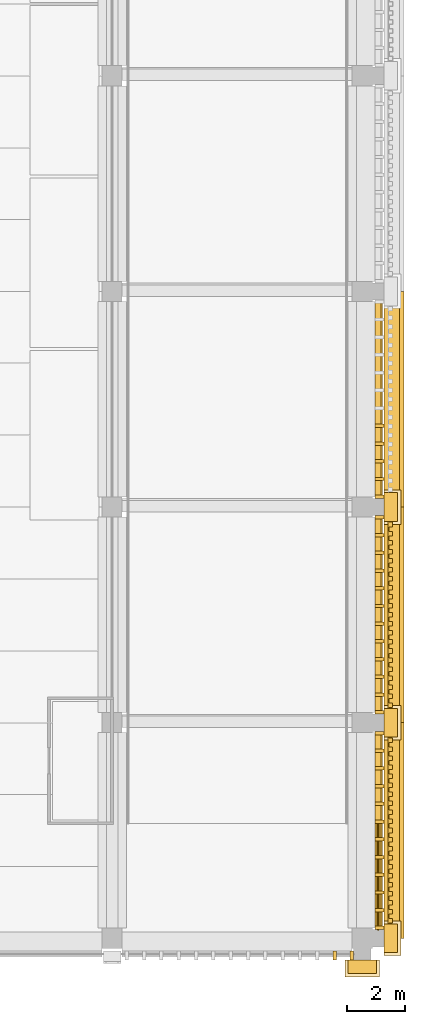
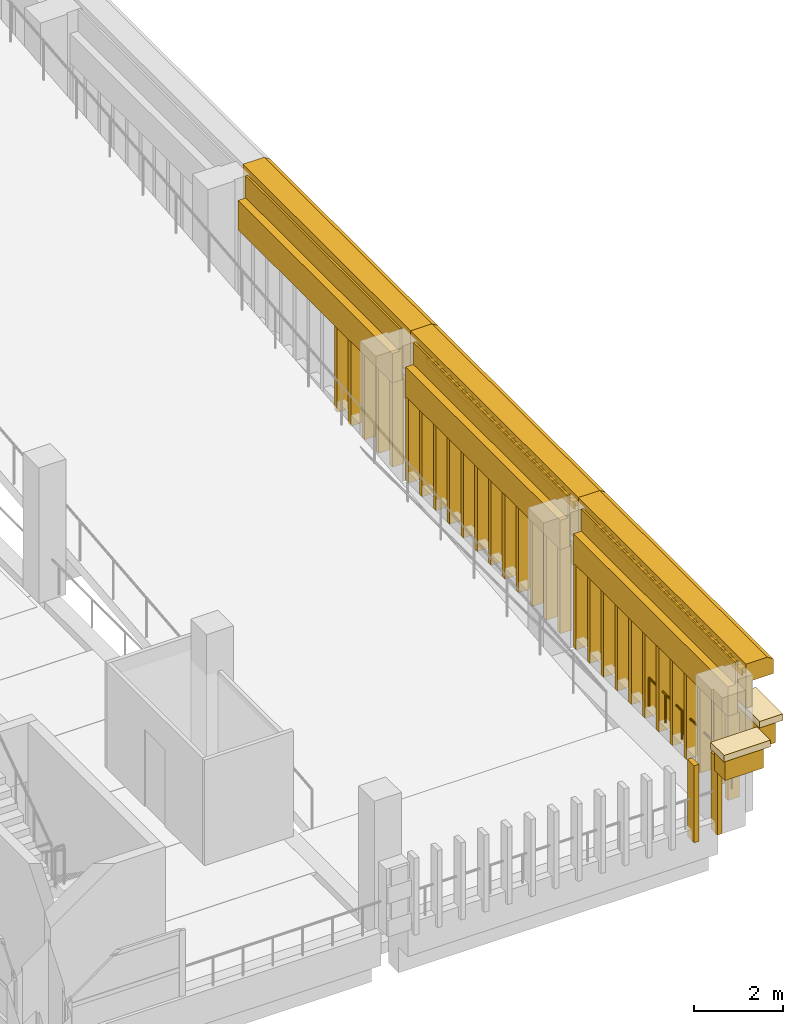
# One storey, part 20 of 25: 47 coverings, 1 railing.
"""IFC4 building model written with IfcOpenShell, lengths in metres."""

from ifc_helpers import new_model, si_unit, direction, frame, origin, origin_2d, place, context, subcontext, project, spatial, polyline, circle, outline, extrude, material, layer, layer_set, type_object, element, save


model = new_model("IFC4")

# Units and contexts
model_context = context("Model", 3, precision=1e-05, world=origin(), true_north=direction((0.0, 1.0)))
body_context = subcontext(model_context, "Body", "Model", "MODEL_VIEW")
ifc_project = project(units=[si_unit("LENGTHUNIT", "METRE"), si_unit("AREAUNIT", "SQUARE_METRE"), si_unit("VOLUMEUNIT", "CUBIC_METRE"), si_unit("PLANEANGLEUNIT", "RADIAN"), si_unit("MASSUNIT", "GRAM", prefix="KILO")], contexts=[model_context])

# Site, building, storey
site_placement = place(None, origin())
site = spatial("IfcSite", under=ifc_project, at=site_placement, CompositionType="ELEMENT")
building_placement = place(site_placement, origin())
building = spatial("IfcBuilding", under=site, at=building_placement, Name="Cour d'Honneur Mobility Palace", CompositionType="ELEMENT")
storey_placement = place(building_placement, frame((0.0, 0.0, 30.39990234375)))
storey = spatial("IfcBuildingStorey", under=building, at=storey_placement, Name="L08", CompositionType="ELEMENT", Elevation=30.39990234375)

# Railing
ifc_material_1 = material(Name="Painted steel", Category="steel")
railing_type = type_object("IfcRailingType", Name="Balustrade", PredefinedType="BALUSTRADE", material=ifc_material_1)
railing_placement = place(storey_placement, frame((162.85009765625, 0.300048828125, 0.300048828125)))
element("IfcRailing", 1, at=railing_placement, inside=storey, type_object=railing_type, Name="Balustrade BAL-402", PredefinedType="BALUSTRADE", context=body_context, shape_type="SweptSolid", body=[
    extrude(circle(Radius=0.02392578125, at=origin_2d()), frame((0.0, 0.0, 0.77587890625), z_axis=(0.0, 1.0, 0.0), x_axis=(-1.0, 0.0, 0.0)), (0.0, 0.0, 1.0), 3.699951171875),
    extrude(circle(Radius=0.02099609375, at=origin_2d()), origin(), (0.0, 0.0, 1.0), 0.751953125),
    extrude(circle(Radius=0.02099609375, at=origin_2d()), frame((0.0, 0.739990234375, 0.0)), (0.0, 0.0, 1.0), 0.751953125),
    extrude(circle(Radius=0.02099609375, at=origin_2d()), frame((0.0, 1.47998046875, 0.0)), (0.0, 0.0, 1.0), 0.751953125),
    extrude(circle(Radius=0.02099609375, at=origin_2d()), frame((0.0, 2.219970703125, 0.0)), (0.0, 0.0, 1.0), 0.751953125),
    extrude(circle(Radius=0.02099609375, at=origin_2d()), frame((0.0, 2.9599609375, 0.0)), (0.0, 0.0, 1.0), 0.751953125),
    extrude(circle(Radius=0.02099609375, at=origin_2d()), frame((0.0, 3.699951171875, 0.0)), (0.0, 0.0, 1.0), 0.751953125),
])

# Coverings
ifc_material_2 = material(Name="Cast limestone", Category="masonry")
ifc_layer_1 = layer(ifc_material_2, 0.14990234375)
ifc_layer_set_1 = layer_set([ifc_layer_1], Name="Cast limestone")
covering_type_1 = type_object("IfcCoveringType", Name="Dentil course", PredefinedType="CLADDING", material=ifc_layer_set_1)
covering_1_placement = place(storey_placement, frame((0.0, 0.0, 3.150146484375)))
element("IfcCovering", 2, at=covering_1_placement, inside=storey, type_object=covering_type_1, Name="Dentil course DC-133", PredefinedType="CLADDING", context=body_context, shape_type="SweptSolid", body=[
    extrude(outline(polyline([(163.199951171875, 0.449951171875), (163.199951171875, 7.050048828125), (163.22998046875, 7.050048828125), (163.22998046875, 7.050048828125), (163.22998046875, 6.971435546875), (163.35009765625, 6.971435546875), (163.35009765625, 6.814208984375), (163.22998046875, 6.814208984375), (163.22998046875, 6.735595703125), (163.22998046875, 6.735595703125), (163.22998046875, 6.6572265625), (163.35009765625, 6.6572265625), (163.35009765625, 6.5), (163.22998046875, 6.5), (163.22998046875, 6.42138671875), (163.22998046875, 6.42138671875), (163.22998046875, 6.3427734375), (163.35009765625, 6.3427734375), (163.35009765625, 6.185791015625), (163.22998046875, 6.185791015625), (163.22998046875, 6.107177734375), (163.22998046875, 6.107177734375), (163.22998046875, 6.028564453125), (163.35009765625, 6.028564453125), (163.35009765625, 5.871337890625), (163.22998046875, 5.871337890625), (163.22998046875, 5.79296875), (163.22998046875, 5.79296875), (163.22998046875, 5.71435546875), (163.35009765625, 5.71435546875), (163.35009765625, 5.55712890625), (163.22998046875, 5.55712890625), (163.22998046875, 5.478515625), (163.22998046875, 5.478515625), (163.22998046875, 5.39990234375), (163.35009765625, 5.39990234375), (163.35009765625, 5.242919921875), (163.22998046875, 5.242919921875), (163.22998046875, 5.164306640625), (163.22998046875, 5.164306640625), (163.22998046875, 5.085693359375), (163.35009765625, 5.085693359375), (163.35009765625, 4.928466796875), (163.22998046875, 4.928466796875), (163.22998046875, 4.85009765625), (163.22998046875, 4.85009765625), (163.22998046875, 4.771484375), (163.35009765625, 4.771484375), (163.35009765625, 4.6142578125), (163.22998046875, 4.6142578125), (163.22998046875, 4.53564453125), (163.22998046875, 4.53564453125), (163.22998046875, 4.45703125), (163.35009765625, 4.45703125), (163.35009765625, 4.300048828125), (163.22998046875, 4.300048828125), (163.22998046875, 4.221435546875), (163.22998046875, 4.221435546875), (163.22998046875, 4.142822265625), (163.35009765625, 4.142822265625), (163.35009765625, 3.985595703125), (163.22998046875, 3.985595703125), (163.22998046875, 3.9072265625), (163.22998046875, 3.9072265625), (163.22998046875, 3.82861328125), (163.35009765625, 3.82861328125), (163.35009765625, 3.67138671875), (163.22998046875, 3.67138671875), (163.22998046875, 3.5927734375), (163.22998046875, 3.5927734375), (163.22998046875, 3.514404296875), (163.35009765625, 3.514404296875), (163.35009765625, 3.357177734375), (163.22998046875, 3.357177734375), (163.22998046875, 3.278564453125), (163.22998046875, 3.278564453125), (163.22998046875, 3.199951171875), (163.35009765625, 3.199951171875), (163.35009765625, 3.04296875), (163.22998046875, 3.04296875), (163.22998046875, 2.96435546875), (163.22998046875, 2.96435546875), (163.22998046875, 2.8857421875), (163.35009765625, 2.8857421875), (163.35009765625, 2.728515625), (163.22998046875, 2.728515625), (163.22998046875, 2.64990234375), (163.22998046875, 2.64990234375), (163.22998046875, 2.571533203125), (163.35009765625, 2.571533203125), (163.35009765625, 2.414306640625), (163.22998046875, 2.414306640625), (163.22998046875, 2.335693359375), (163.22998046875, 2.335693359375), (163.22998046875, 2.257080078125), (163.35009765625, 2.257080078125), (163.35009765625, 2.10009765625), (163.22998046875, 2.10009765625), (163.22998046875, 2.021484375), (163.22998046875, 2.021484375), (163.22998046875, 1.94287109375), (163.35009765625, 1.94287109375), (163.35009765625, 1.78564453125), (163.22998046875, 1.78564453125), (163.22998046875, 1.70703125), (163.22998046875, 1.70703125), (163.22998046875, 1.628662109375), (163.35009765625, 1.628662109375), (163.35009765625, 1.471435546875), (163.22998046875, 1.471435546875), (163.22998046875, 1.392822265625), (163.22998046875, 1.392822265625), (163.22998046875, 1.314208984375), (163.35009765625, 1.314208984375), (163.35009765625, 1.1572265625), (163.22998046875, 1.1572265625), (163.22998046875, 1.07861328125), (163.22998046875, 1.07861328125), (163.22998046875, 1.0), (163.35009765625, 1.0), (163.35009765625, 0.8427734375), (163.22998046875, 0.8427734375), (163.22998046875, 0.764404296875), (163.22998046875, 0.764404296875), (163.22998046875, 0.685791015625), (163.35009765625, 0.685791015625), (163.35009765625, 0.528564453125), (163.22998046875, 0.528564453125), (163.22998046875, 0.449951171875), (163.199951171875, 0.449951171875)])), origin(), (0.0, 0.0, 1.0), 0.14990234375),
])
covering_2_placement = place(storey_placement, frame((0.0, 0.0, 3.150146484375)))
element("IfcCovering", 3, at=covering_2_placement, inside=storey, type_object=covering_type_1, Name="Dentil course DC-134", PredefinedType="CLADDING", context=body_context, shape_type="SweptSolid", body=[
    extrude(outline(polyline([(163.199951171875, 7.949951171875), (163.199951171875, 14.550048828125), (163.22998046875, 14.550048828125), (163.22998046875, 14.550048828125), (163.22998046875, 14.471435546875), (163.35009765625, 14.471435546875), (163.35009765625, 14.314208984375), (163.22998046875, 14.314208984375), (163.22998046875, 14.235595703125), (163.22998046875, 14.235595703125), (163.22998046875, 14.1572265625), (163.35009765625, 14.1572265625), (163.35009765625, 14.0), (163.22998046875, 14.0), (163.22998046875, 13.92138671875), (163.22998046875, 13.92138671875), (163.22998046875, 13.8427734375), (163.35009765625, 13.8427734375), (163.35009765625, 13.685791015625), (163.22998046875, 13.685791015625), (163.22998046875, 13.607177734375), (163.22998046875, 13.607177734375), (163.22998046875, 13.528564453125), (163.35009765625, 13.528564453125), (163.35009765625, 13.371337890625), (163.22998046875, 13.371337890625), (163.22998046875, 13.29296875), (163.22998046875, 13.29296875), (163.22998046875, 13.21435546875), (163.35009765625, 13.21435546875), (163.35009765625, 13.05712890625), (163.22998046875, 13.05712890625), (163.22998046875, 12.978515625), (163.22998046875, 12.978515625), (163.22998046875, 12.89990234375), (163.35009765625, 12.89990234375), (163.35009765625, 12.742919921875), (163.22998046875, 12.742919921875), (163.22998046875, 12.664306640625), (163.22998046875, 12.664306640625), (163.22998046875, 12.585693359375), (163.35009765625, 12.585693359375), (163.35009765625, 12.428466796875), (163.22998046875, 12.428466796875), (163.22998046875, 12.35009765625), (163.22998046875, 12.35009765625), (163.22998046875, 12.271484375), (163.35009765625, 12.271484375), (163.35009765625, 12.1142578125), (163.22998046875, 12.1142578125), (163.22998046875, 12.03564453125), (163.22998046875, 12.03564453125), (163.22998046875, 11.95703125), (163.35009765625, 11.95703125), (163.35009765625, 11.800048828125), (163.22998046875, 11.800048828125), (163.22998046875, 11.721435546875), (163.22998046875, 11.721435546875), (163.22998046875, 11.642822265625), (163.35009765625, 11.642822265625), (163.35009765625, 11.485595703125), (163.22998046875, 11.485595703125), (163.22998046875, 11.4072265625), (163.22998046875, 11.4072265625), (163.22998046875, 11.32861328125), (163.35009765625, 11.32861328125), (163.35009765625, 11.17138671875), (163.22998046875, 11.17138671875), (163.22998046875, 11.0927734375), (163.22998046875, 11.0927734375), (163.22998046875, 11.014404296875), (163.35009765625, 11.014404296875), (163.35009765625, 10.857177734375), (163.22998046875, 10.857177734375), (163.22998046875, 10.778564453125), (163.22998046875, 10.778564453125), (163.22998046875, 10.699951171875), (163.35009765625, 10.699951171875), (163.35009765625, 10.54296875), (163.22998046875, 10.54296875), (163.22998046875, 10.46435546875), (163.22998046875, 10.46435546875), (163.22998046875, 10.3857421875), (163.35009765625, 10.3857421875), (163.35009765625, 10.228515625), (163.22998046875, 10.228515625), (163.22998046875, 10.14990234375), (163.22998046875, 10.14990234375), (163.22998046875, 10.071533203125), (163.35009765625, 10.071533203125), (163.35009765625, 9.914306640625), (163.22998046875, 9.914306640625), (163.22998046875, 9.835693359375), (163.22998046875, 9.835693359375), (163.22998046875, 9.757080078125), (163.35009765625, 9.757080078125), (163.35009765625, 9.60009765625), (163.22998046875, 9.60009765625), (163.22998046875, 9.521484375), (163.22998046875, 9.521484375), (163.22998046875, 9.44287109375), (163.35009765625, 9.44287109375), (163.35009765625, 9.28564453125), (163.22998046875, 9.28564453125), (163.22998046875, 9.20703125), (163.22998046875, 9.20703125), (163.22998046875, 9.128662109375), (163.35009765625, 9.128662109375), (163.35009765625, 8.971435546875), (163.22998046875, 8.971435546875), (163.22998046875, 8.892822265625), (163.22998046875, 8.892822265625), (163.22998046875, 8.814208984375), (163.35009765625, 8.814208984375), (163.35009765625, 8.6572265625), (163.22998046875, 8.6572265625), (163.22998046875, 8.57861328125), (163.22998046875, 8.57861328125), (163.22998046875, 8.5), (163.35009765625, 8.5), (163.35009765625, 8.3427734375), (163.22998046875, 8.3427734375), (163.22998046875, 8.264404296875), (163.22998046875, 8.264404296875), (163.22998046875, 8.185791015625), (163.35009765625, 8.185791015625), (163.35009765625, 8.028564453125), (163.22998046875, 8.028564453125), (163.22998046875, 7.949951171875), (163.199951171875, 7.949951171875)])), origin(), (0.0, 0.0, 1.0), 0.14990234375),
])
ifc_material_3 = material(Name="Cast limestone", Category="masonry")
ifc_layer_2 = layer(ifc_material_3, 0.699951171875)
ifc_layer_set_2 = layer_set([ifc_layer_2], Name="Cast limestone")
covering_type_2 = type_object("IfcCoveringType", Name="Entablature", PredefinedType="CLADDING", material=ifc_layer_set_2)
for number, where, z_axis, x_axis, name in (
    (4, (163.050048828125, 0.0, 2.60009765625), (0.0, -1.0, 0.0), (1.0, 0.0, 0.0), "Entablature EN-133"),
    (5, (163.050048828125, 7.5, 2.60009765625), (0.0, -1.0, 0.0), (1.0, 0.0, 0.0), "Entablature EN-134"),
    (6, (163.050048828125, 15.0, 2.60009765625), (0.0, -1.0, 0.0), (1.0, 0.0, 0.0), "Entablature EN-135"),
):
    element("IfcCovering", number, at=place(storey_placement, frame(where, z_axis=z_axis, x_axis=x_axis)), inside=storey, type_object=covering_type_2, Name=name, PredefinedType="CLADDING", context=body_context, shape_type="SweptSolid", body=[
        extrude(outline(polyline([(0.0, 0.0), (0.14990234375, 0.0), (0.14990234375, 0.699951171875), (0.699951171875, 0.699951171875), (0.699951171875, 1.10009765625), (0.550048828125, 1.199951171875), (0.0, 1.199951171875), (0.0, 0.0)])), origin(), (0.0, 0.0, -1.0), 7.5),
    ])
ifc_material_4 = material(Name="Cast limestone", Category="masonry")
ifc_layer_3 = layer(ifc_material_4, 0.1201171875)
ifc_layer_set_3 = layer_set([ifc_layer_3], Name="Cast limestone")
covering_type_3 = type_object("IfcCoveringType", Name="Pilaster capital", PredefinedType="CLADDING", material=ifc_layer_set_3)
covering_3_placement = place(storey_placement, frame((0.0, 0.0, 1.800048828125)))
element("IfcCovering", 7, at=covering_3_placement, inside=storey, type_object=covering_type_3, Name="Pilaster capital PK-71", PredefinedType="CLADDING", context=body_context, shape_type="SweptSolid", body=[
    extrude(outline(polyline([(161.800048828125, -0.75), (162.800048828125, -0.75), (162.800048828125, -1.219970703125), (161.800048828125, -1.219970703125), (161.800048828125, -0.75)])), origin(), (0.0, 0.0, 1.0), 0.6201171875),
])
covering_4_placement = place(storey_placement, frame((0.0, 0.0, 2.420166015625)))
element("IfcCovering", 8, at=covering_4_placement, inside=storey, type_object=covering_type_3, Name="Pilaster capital PK-72", PredefinedType="CLADDING", context=body_context, shape_type="SweptSolid", body=[
    extrude(outline(polyline([(161.699951171875, -0.75), (162.89990234375, -0.75), (162.89990234375, -1.35009765625), (161.699951171875, -1.35009765625), (161.699951171875, -0.75)])), origin(), (0.0, 0.0, 1.0), 0.179931640625),
])
covering_5_placement = place(storey_placement, frame((0.0, 0.0, 1.800048828125)))
element("IfcCovering", 9, at=covering_5_placement, inside=storey, type_object=covering_type_3, Name="Pilaster capital PK-73", PredefinedType="CLADDING", context=body_context, shape_type="SweptSolid", body=[
    extrude(outline(polyline([(163.050048828125, -0.5), (163.050048828125, 0.5), (163.52001953125, 0.5), (163.52001953125, -0.5), (163.050048828125, -0.5)])), origin(), (0.0, 0.0, 1.0), 0.6201171875),
])
covering_6_placement = place(storey_placement, frame((0.0, 0.0, 2.420166015625)))
element("IfcCovering", 10, at=covering_6_placement, inside=storey, type_object=covering_type_3, Name="Pilaster capital PK-74", PredefinedType="CLADDING", context=body_context, shape_type="SweptSolid", body=[
    extrude(outline(polyline([(163.050048828125, -0.60009765625), (163.050048828125, 0.60009765625), (163.64990234375, 0.60009765625), (163.64990234375, -0.60009765625), (163.050048828125, -0.60009765625)])), origin(), (0.0, 0.0, 1.0), 0.179931640625),
])
covering_7_placement = place(storey_placement, frame((0.0, 0.0, 1.800048828125)))
element("IfcCovering", 11, at=covering_7_placement, inside=storey, type_object=covering_type_3, Name="Pilaster capital PK-75", PredefinedType="CLADDING", context=body_context, shape_type="SweptSolid", body=[
    extrude(outline(polyline([(163.050048828125, 7.0), (163.050048828125, 8.0), (163.52001953125, 8.0), (163.52001953125, 7.0), (163.050048828125, 7.0)])), origin(), (0.0, 0.0, 1.0), 0.6201171875),
])
covering_8_placement = place(storey_placement, frame((0.0, 0.0, 2.420166015625)))
element("IfcCovering", 12, at=covering_8_placement, inside=storey, type_object=covering_type_3, Name="Pilaster capital PK-76", PredefinedType="CLADDING", context=body_context, shape_type="SweptSolid", body=[
    extrude(outline(polyline([(163.050048828125, 6.89990234375), (163.050048828125, 8.10009765625), (163.64990234375, 8.10009765625), (163.64990234375, 6.89990234375), (163.050048828125, 6.89990234375)])), origin(), (0.0, 0.0, 1.0), 0.179931640625),
])
covering_9_placement = place(storey_placement, frame((0.0, 0.0, 1.800048828125)))
element("IfcCovering", 13, at=covering_9_placement, inside=storey, type_object=covering_type_3, Name="Pilaster capital PK-77", PredefinedType="CLADDING", context=body_context, shape_type="SweptSolid", body=[
    extrude(outline(polyline([(163.050048828125, 14.5), (163.050048828125, 15.5), (163.52001953125, 15.5), (163.52001953125, 14.5), (163.050048828125, 14.5)])), origin(), (0.0, 0.0, 1.0), 0.6201171875),
])
covering_10_placement = place(storey_placement, frame((0.0, 0.0, 2.420166015625)))
element("IfcCovering", 14, at=covering_10_placement, inside=storey, type_object=covering_type_3, Name="Pilaster capital PK-78", PredefinedType="CLADDING", context=body_context, shape_type="SweptSolid", body=[
    extrude(outline(polyline([(163.050048828125, 14.39990234375), (163.050048828125, 15.60009765625), (163.64990234375, 15.60009765625), (163.64990234375, 14.39990234375), (163.050048828125, 14.39990234375)])), origin(), (0.0, 0.0, 1.0), 0.179931640625),
])
ifc_material_5 = material(Name="Cast limestone", Category="masonry")
ifc_layer_4 = layer(ifc_material_5, 0.1201171875)
ifc_layer_set_4 = layer_set([ifc_layer_4], Name="Cast limestone")
covering_type_4 = type_object("IfcCoveringType", Name="Ramp screen fin", PredefinedType="CLADDING", material=ifc_layer_set_4)
covering_11_placement = place(storey_placement, origin())
element("IfcCovering", 15, at=covering_11_placement, inside=storey, type_object=covering_type_4, Name="Ramp screen fin S4.1 L08 13", PredefinedType="CLADDING", context=body_context, shape_type="SweptSolid", body=[
    extrude(outline(polyline([(161.277587890625, -0.449951171875), (161.397705078125, -0.449951171875), (161.397705078125, -0.75), (161.277587890625, -0.75), (161.277587890625, -0.449951171875)])), origin(), (0.0, 0.0, 1.0), 2.10009765625),
])
covering_12_placement = place(storey_placement, origin())
element("IfcCovering", 16, at=covering_12_placement, inside=storey, type_object=covering_type_4, Name="Ramp screen fin S4.1 L08 14", PredefinedType="CLADDING", context=body_context, shape_type="SweptSolid", body=[
    extrude(outline(polyline([(161.8798828125, -0.449951171875), (162.0, -0.449951171875), (162.0, -0.75), (161.8798828125, -0.75), (161.8798828125, -0.449951171875)])), origin(), (0.0, 0.0, 1.0), 2.10009765625),
])
covering_13_placement = place(storey_placement, origin())
element("IfcCovering", 17, at=covering_13_placement, inside=storey, type_object=covering_type_4, Name="Ramp screen fin E5.0 L08 1", PredefinedType="CLADDING", context=body_context, shape_type="SweptSolid", body=[
    extrude(outline(polyline([(162.75, 0.300048828125), (162.75, 0.419921875), (163.050048828125, 0.419921875), (163.050048828125, 0.300048828125), (162.75, 0.300048828125)])), origin(), (0.0, 0.0, 1.0), 2.300048828125),
])
covering_14_placement = place(storey_placement, origin())
element("IfcCovering", 18, at=covering_14_placement, inside=storey, type_object=covering_type_4, Name="Ramp screen fin E5.0 L08 2", PredefinedType="CLADDING", context=body_context, shape_type="SweptSolid", body=[
    extrude(outline(polyline([(162.75, 0.916259765625), (162.75, 1.036376953125), (163.050048828125, 1.036376953125), (163.050048828125, 0.916259765625), (162.75, 0.916259765625)])), origin(), (0.0, 0.0, 1.0), 2.300048828125),
])
covering_15_placement = place(storey_placement, origin())
element("IfcCovering", 19, at=covering_15_placement, inside=storey, type_object=covering_type_4, Name="Ramp screen fin E5.0 L08 3", PredefinedType="CLADDING", context=body_context, shape_type="SweptSolid", body=[
    extrude(outline(polyline([(162.75, 1.53271484375), (162.75, 1.65283203125), (163.050048828125, 1.65283203125), (163.050048828125, 1.53271484375), (162.75, 1.53271484375)])), origin(), (0.0, 0.0, 1.0), 2.300048828125),
])
covering_16_placement = place(storey_placement, origin())
element("IfcCovering", 20, at=covering_16_placement, inside=storey, type_object=covering_type_4, Name="Ramp screen fin E5.0 L08 4", PredefinedType="CLADDING", context=body_context, shape_type="SweptSolid", body=[
    extrude(outline(polyline([(162.75, 2.149169921875), (162.75, 2.26904296875), (163.050048828125, 2.26904296875), (163.050048828125, 2.149169921875), (162.75, 2.149169921875)])), origin(), (0.0, 0.0, 1.0), 2.300048828125),
])
covering_17_placement = place(storey_placement, origin())
element("IfcCovering", 21, at=covering_17_placement, inside=storey, type_object=covering_type_4, Name="Ramp screen fin E5.0 L08 5", PredefinedType="CLADDING", context=body_context, shape_type="SweptSolid", body=[
    extrude(outline(polyline([(162.75, 2.765380859375), (162.75, 2.885498046875), (163.050048828125, 2.885498046875), (163.050048828125, 2.765380859375), (162.75, 2.765380859375)])), origin(), (0.0, 0.0, 1.0), 2.300048828125),
])
covering_18_placement = place(storey_placement, origin())
element("IfcCovering", 22, at=covering_18_placement, inside=storey, type_object=covering_type_4, Name="Ramp screen fin E5.0 L08 6", PredefinedType="CLADDING", context=body_context, shape_type="SweptSolid", body=[
    extrude(outline(polyline([(162.75, 3.3818359375), (162.75, 3.501708984375), (163.050048828125, 3.501708984375), (163.050048828125, 3.3818359375), (162.75, 3.3818359375)])), origin(), (0.0, 0.0, 1.0), 2.300048828125),
])
covering_19_placement = place(storey_placement, origin())
element("IfcCovering", 23, at=covering_19_placement, inside=storey, type_object=covering_type_4, Name="Ramp screen fin E5.0 L08 7", PredefinedType="CLADDING", context=body_context, shape_type="SweptSolid", body=[
    extrude(outline(polyline([(162.75, 3.998291015625), (162.75, 4.1181640625), (163.050048828125, 4.1181640625), (163.050048828125, 3.998291015625), (162.75, 3.998291015625)])), origin(), (0.0, 0.0, 1.0), 2.300048828125),
])
covering_20_placement = place(storey_placement, origin())
element("IfcCovering", 24, at=covering_20_placement, inside=storey, type_object=covering_type_4, Name="Ramp screen fin E5.0 L08 8", PredefinedType="CLADDING", context=body_context, shape_type="SweptSolid", body=[
    extrude(outline(polyline([(162.75, 4.614501953125), (162.75, 4.734619140625), (163.050048828125, 4.734619140625), (163.050048828125, 4.614501953125), (162.75, 4.614501953125)])), origin(), (0.0, 0.0, 1.0), 2.300048828125),
])
covering_21_placement = place(storey_placement, origin())
element("IfcCovering", 25, at=covering_21_placement, inside=storey, type_object=covering_type_4, Name="Ramp screen fin E5.0 L08 9", PredefinedType="CLADDING", context=body_context, shape_type="SweptSolid", body=[
    extrude(outline(polyline([(162.75, 5.23095703125), (162.75, 5.350830078125), (163.050048828125, 5.350830078125), (163.050048828125, 5.23095703125), (162.75, 5.23095703125)])), origin(), (0.0, 0.0, 1.0), 2.300048828125),
])
covering_22_placement = place(storey_placement, origin())
element("IfcCovering", 26, at=covering_22_placement, inside=storey, type_object=covering_type_4, Name="Ramp screen fin E5.0 L08 10", PredefinedType="CLADDING", context=body_context, shape_type="SweptSolid", body=[
    extrude(outline(polyline([(162.75, 5.84716796875), (162.75, 5.96728515625), (163.050048828125, 5.96728515625), (163.050048828125, 5.84716796875), (162.75, 5.84716796875)])), origin(), (0.0, 0.0, 1.0), 2.300048828125),
])
covering_23_placement = place(storey_placement, origin())
element("IfcCovering", 27, at=covering_23_placement, inside=storey, type_object=covering_type_4, Name="Ramp screen fin E5.0 L08 11", PredefinedType="CLADDING", context=body_context, shape_type="SweptSolid", body=[
    extrude(outline(polyline([(162.75, 6.463623046875), (162.75, 6.583740234375), (163.050048828125, 6.583740234375), (163.050048828125, 6.463623046875), (162.75, 6.463623046875)])), origin(), (0.0, 0.0, 1.0), 2.300048828125),
])
covering_24_placement = place(storey_placement, origin())
element("IfcCovering", 28, at=covering_24_placement, inside=storey, type_object=covering_type_4, Name="Ramp screen fin E5.0 L08 12", PredefinedType="CLADDING", context=body_context, shape_type="SweptSolid", body=[
    extrude(outline(polyline([(162.75, 7.080078125), (162.75, 7.199951171875), (163.050048828125, 7.199951171875), (163.050048828125, 7.080078125), (162.75, 7.080078125)])), origin(), (0.0, 0.0, 1.0), 2.300048828125),
])
covering_25_placement = place(storey_placement, origin())
element("IfcCovering", 29, at=covering_25_placement, inside=storey, type_object=covering_type_4, Name="Ramp screen fin E5.1 L08 1", PredefinedType="CLADDING", context=body_context, shape_type="SweptSolid", body=[
    extrude(outline(polyline([(162.75, 7.800048828125), (162.75, 7.919921875), (163.050048828125, 7.919921875), (163.050048828125, 7.800048828125), (162.75, 7.800048828125)])), origin(), (0.0, 0.0, 1.0), 2.300048828125),
])
covering_26_placement = place(storey_placement, origin())
element("IfcCovering", 30, at=covering_26_placement, inside=storey, type_object=covering_type_4, Name="Ramp screen fin E5.1 L08 2", PredefinedType="CLADDING", context=body_context, shape_type="SweptSolid", body=[
    extrude(outline(polyline([(162.75, 8.416259765625), (162.75, 8.536376953125), (163.050048828125, 8.536376953125), (163.050048828125, 8.416259765625), (162.75, 8.416259765625)])), origin(), (0.0, 0.0, 1.0), 2.300048828125),
])
covering_27_placement = place(storey_placement, origin())
element("IfcCovering", 31, at=covering_27_placement, inside=storey, type_object=covering_type_4, Name="Ramp screen fin E5.1 L08 3", PredefinedType="CLADDING", context=body_context, shape_type="SweptSolid", body=[
    extrude(outline(polyline([(162.75, 9.03271484375), (162.75, 9.15283203125), (163.050048828125, 9.15283203125), (163.050048828125, 9.03271484375), (162.75, 9.03271484375)])), origin(), (0.0, 0.0, 1.0), 2.300048828125),
])
covering_28_placement = place(storey_placement, origin())
element("IfcCovering", 32, at=covering_28_placement, inside=storey, type_object=covering_type_4, Name="Ramp screen fin E5.1 L08 4", PredefinedType="CLADDING", context=body_context, shape_type="SweptSolid", body=[
    extrude(outline(polyline([(162.75, 9.649169921875), (162.75, 9.76904296875), (163.050048828125, 9.76904296875), (163.050048828125, 9.649169921875), (162.75, 9.649169921875)])), origin(), (0.0, 0.0, 1.0), 2.300048828125),
])
covering_29_placement = place(storey_placement, origin())
element("IfcCovering", 33, at=covering_29_placement, inside=storey, type_object=covering_type_4, Name="Ramp screen fin E5.1 L08 5", PredefinedType="CLADDING", context=body_context, shape_type="SweptSolid", body=[
    extrude(outline(polyline([(162.75, 10.265380859375), (162.75, 10.385498046875), (163.050048828125, 10.385498046875), (163.050048828125, 10.265380859375), (162.75, 10.265380859375)])), origin(), (0.0, 0.0, 1.0), 2.300048828125),
])
covering_30_placement = place(storey_placement, origin())
element("IfcCovering", 34, at=covering_30_placement, inside=storey, type_object=covering_type_4, Name="Ramp screen fin E5.1 L08 6", PredefinedType="CLADDING", context=body_context, shape_type="SweptSolid", body=[
    extrude(outline(polyline([(162.75, 10.8818359375), (162.75, 11.001708984375), (163.050048828125, 11.001708984375), (163.050048828125, 10.8818359375), (162.75, 10.8818359375)])), origin(), (0.0, 0.0, 1.0), 2.300048828125),
])
covering_31_placement = place(storey_placement, origin())
element("IfcCovering", 35, at=covering_31_placement, inside=storey, type_object=covering_type_4, Name="Ramp screen fin E5.1 L08 7", PredefinedType="CLADDING", context=body_context, shape_type="SweptSolid", body=[
    extrude(outline(polyline([(162.75, 11.498291015625), (162.75, 11.6181640625), (163.050048828125, 11.6181640625), (163.050048828125, 11.498291015625), (162.75, 11.498291015625)])), origin(), (0.0, 0.0, 1.0), 2.300048828125),
])
covering_32_placement = place(storey_placement, origin())
element("IfcCovering", 36, at=covering_32_placement, inside=storey, type_object=covering_type_4, Name="Ramp screen fin E5.1 L08 8", PredefinedType="CLADDING", context=body_context, shape_type="SweptSolid", body=[
    extrude(outline(polyline([(162.75, 12.114501953125), (162.75, 12.234619140625), (163.050048828125, 12.234619140625), (163.050048828125, 12.114501953125), (162.75, 12.114501953125)])), origin(), (0.0, 0.0, 1.0), 2.300048828125),
])
covering_33_placement = place(storey_placement, origin())
element("IfcCovering", 37, at=covering_33_placement, inside=storey, type_object=covering_type_4, Name="Ramp screen fin E5.1 L08 9", PredefinedType="CLADDING", context=body_context, shape_type="SweptSolid", body=[
    extrude(outline(polyline([(162.75, 12.73095703125), (162.75, 12.850830078125), (163.050048828125, 12.850830078125), (163.050048828125, 12.73095703125), (162.75, 12.73095703125)])), origin(), (0.0, 0.0, 1.0), 2.300048828125),
])
covering_34_placement = place(storey_placement, origin())
element("IfcCovering", 38, at=covering_34_placement, inside=storey, type_object=covering_type_4, Name="Ramp screen fin E5.1 L08 10", PredefinedType="CLADDING", context=body_context, shape_type="SweptSolid", body=[
    extrude(outline(polyline([(162.75, 13.34716796875), (162.75, 13.46728515625), (163.050048828125, 13.46728515625), (163.050048828125, 13.34716796875), (162.75, 13.34716796875)])), origin(), (0.0, 0.0, 1.0), 2.300048828125),
])
covering_35_placement = place(storey_placement, origin())
element("IfcCovering", 39, at=covering_35_placement, inside=storey, type_object=covering_type_4, Name="Ramp screen fin E5.1 L08 11", PredefinedType="CLADDING", context=body_context, shape_type="SweptSolid", body=[
    extrude(outline(polyline([(162.75, 13.963623046875), (162.75, 14.083740234375), (163.050048828125, 14.083740234375), (163.050048828125, 13.963623046875), (162.75, 13.963623046875)])), origin(), (0.0, 0.0, 1.0), 2.300048828125),
])
covering_36_placement = place(storey_placement, origin())
element("IfcCovering", 40, at=covering_36_placement, inside=storey, type_object=covering_type_4, Name="Ramp screen fin E5.1 L08 12", PredefinedType="CLADDING", context=body_context, shape_type="SweptSolid", body=[
    extrude(outline(polyline([(162.75, 14.580078125), (162.75, 14.699951171875), (163.050048828125, 14.699951171875), (163.050048828125, 14.580078125), (162.75, 14.580078125)])), origin(), (0.0, 0.0, 1.0), 2.300048828125),
])
covering_37_placement = place(storey_placement, origin())
element("IfcCovering", 41, at=covering_37_placement, inside=storey, type_object=covering_type_4, Name="Ramp screen fin E5.2 L08 1", PredefinedType="CLADDING", context=body_context, shape_type="SweptSolid", body=[
    extrude(outline(polyline([(162.75, 15.300048828125), (162.75, 15.419921875), (163.050048828125, 15.419921875), (163.050048828125, 15.300048828125), (162.75, 15.300048828125)])), origin(), (0.0, 0.0, 1.0), 2.300048828125),
])
covering_38_placement = place(storey_placement, origin())
element("IfcCovering", 42, at=covering_38_placement, inside=storey, type_object=covering_type_4, Name="Ramp screen fin E5.2 L08 2", PredefinedType="CLADDING", context=body_context, shape_type="SweptSolid", body=[
    extrude(outline(polyline([(162.75, 15.916259765625), (162.75, 16.036376953125), (163.050048828125, 16.036376953125), (163.050048828125, 15.916259765625), (162.75, 15.916259765625)])), origin(), (0.0, 0.0, 1.0), 2.300048828125),
])
covering_39_placement = place(storey_placement, origin())
element("IfcCovering", 43, at=covering_39_placement, inside=storey, type_object=covering_type_4, Name="Ramp screen fin E5.2 L08 3", PredefinedType="CLADDING", context=body_context, shape_type="SweptSolid", body=[
    extrude(outline(polyline([(162.75, 16.53271484375), (162.75, 16.65283203125), (163.050048828125, 16.65283203125), (163.050048828125, 16.53271484375), (162.75, 16.53271484375)])), origin(), (0.0, 0.0, 1.0), 2.300048828125),
])
covering_40_placement = place(storey_placement, origin())
element("IfcCovering", 44, at=covering_40_placement, inside=storey, type_object=covering_type_4, Name="Ramp screen fin E5.2 L08 4", PredefinedType="CLADDING", context=body_context, shape_type="SweptSolid", body=[
    extrude(outline(polyline([(162.75, 17.149169921875), (162.75, 17.26904296875), (163.050048828125, 17.26904296875), (163.050048828125, 17.149169921875), (162.75, 17.149169921875)])), origin(), (0.0, 0.0, 1.0), 2.300048828125),
])
covering_41_placement = place(storey_placement, origin())
element("IfcCovering", 45, at=covering_41_placement, inside=storey, type_object=covering_type_4, Name="Ramp screen fin E5.2 L08 5", PredefinedType="CLADDING", context=body_context, shape_type="SweptSolid", body=[
    extrude(outline(polyline([(162.75, 17.765380859375), (162.75, 17.885498046875), (163.050048828125, 17.885498046875), (163.050048828125, 17.765380859375), (162.75, 17.765380859375)])), origin(), (0.0, 0.0, 1.0), 2.300048828125),
])
ifc_material_6 = material(Name="Cast limestone", Category="masonry")
ifc_layer_5 = layer(ifc_material_6, 0.25)
ifc_layer_set_5 = layer_set([ifc_layer_5], Name="Cast limestone")
covering_type_5 = type_object("IfcCoveringType", Name="Spandrel cladding", PredefinedType="CLADDING", material=ifc_layer_set_5)
for number, where, z_axis, x_axis, name in (
    (46, (162.75, 0.300048828125, 2.300048828125), (0.0, -1.0, 0.0), (1.0, 0.0, 0.0), "Spandrel cladding SK-400"),
    (47, (162.75, 7.800048828125, 2.300048828125), (0.0, -1.0, 0.0), (1.0, 0.0, 0.0), "Spandrel cladding SK-401"),
    (48, (162.75, 15.300048828125, 2.300048828125), (0.0, -1.0, 0.0), (1.0, 0.0, 0.0), "Spandrel cladding SK-402"),
):
    element("IfcCovering", number, at=place(storey_placement, frame(where, z_axis=z_axis, x_axis=x_axis)), inside=storey, type_object=covering_type_5, Name=name, PredefinedType="CLADDING", context=body_context, shape_type="SweptSolid", body=[
        extrude(outline(polyline([(0.0, 0.0), (0.25, 0.0), (0.25, 1.400146484375), (0.199951171875, 1.400146484375), (0.199951171875, 0.800048828125), (0.0, 0.800048828125), (0.0, 0.0)])), origin(), (0.0, 0.0, -1.0), 6.89990234375),
    ])

save(model, "model.ifc")
